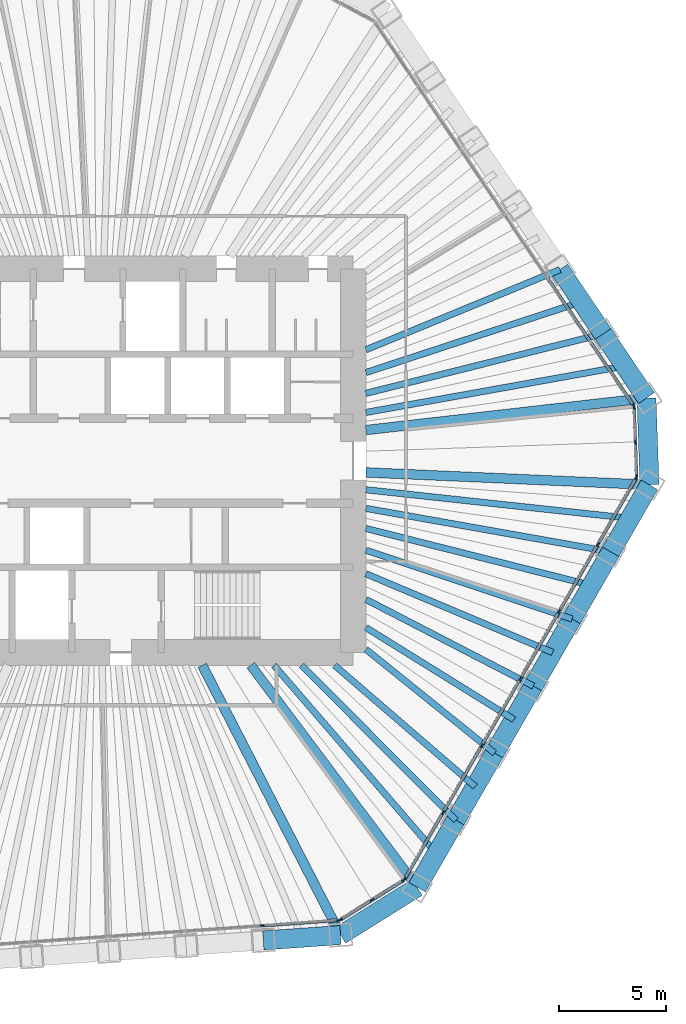
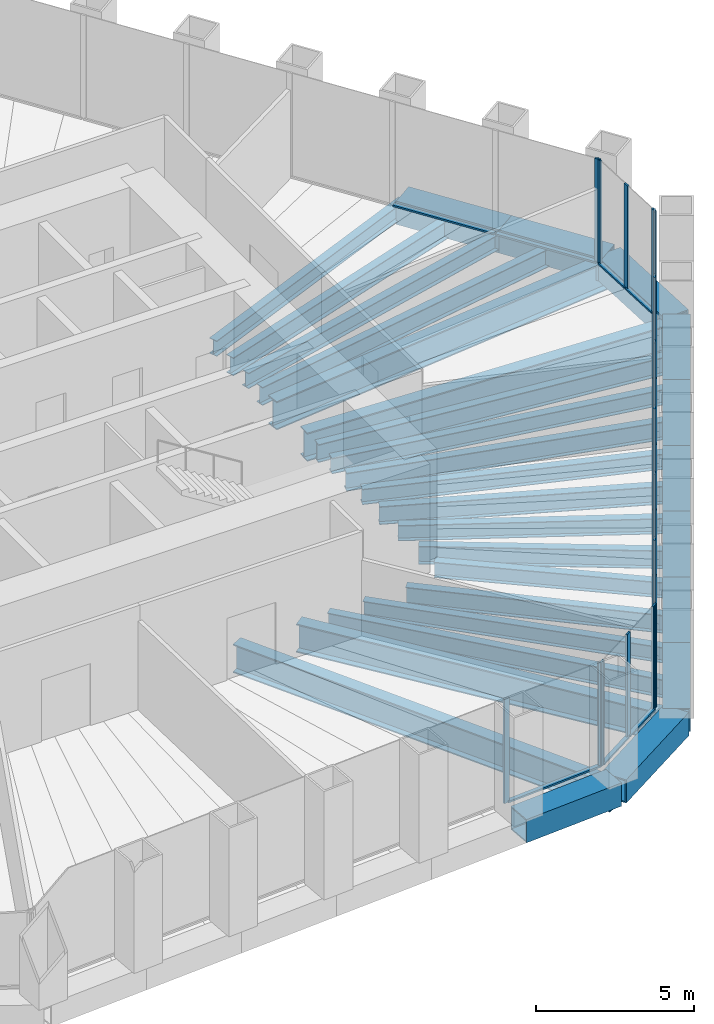
# One storey, part 4 of 14: 30 beams, 29 members, 5 elements without a shape of their own.
"""IFC4 building model written with IfcOpenShell, lengths in metres."""

from ifc_helpers import new_model, si_unit, direction, frame, origin, origin_2d, place, context, subcontext, project, spatial, rectangle, hollow_rectangle, i_section, extrude, material, material_profile, profile_set, type_object, element, aggregate, save


model = new_model("IFC4")

# Units and contexts
model_context = context("Model", 3, precision=1e-05, world=origin(), true_north=direction((0.0, 1.0)))
body_context = subcontext(model_context, "Body", "Model", "MODEL_VIEW")
ifc_project = project(units=[si_unit("LENGTHUNIT", "METRE"), si_unit("AREAUNIT", "SQUARE_METRE"), si_unit("VOLUMEUNIT", "CUBIC_METRE"), si_unit("PLANEANGLEUNIT", "RADIAN"), si_unit("MASSUNIT", "GRAM", prefix="KILO")], contexts=[model_context])

# Site, building, storey
site_placement = place(None, origin())
site = spatial("IfcSite", under=ifc_project, at=site_placement, CompositionType="ELEMENT")
building_placement = place(site_placement, origin())
building = spatial("IfcBuilding", under=site, at=building_placement, Name="Qingtian Harvest Tower", CompositionType="ELEMENT")
storey_placement = place(building_placement, frame((0.0, 0.0, 197.199951171875)))
storey = spatial("IfcBuildingStorey", under=building, at=storey_placement, Name="L42", CompositionType="ELEMENT", Elevation=197.199951171875)

# Beams
ifc_material_1 = material(Name="Steel SM570MC", Category="steel")
ifc_material_profile_1 = material_profile(ifc_material_1, i_section(OverallWidth=0.449951171875, OverallDepth=1.10009765625, WebThickness=0.02197265625, FlangeThickness=0.044921875, at=origin_2d()), Name="H1100x450x22x45")
ifc_profile_set_1 = profile_set([ifc_material_profile_1], Name="Steel SM570MC")
beam_type_1 = type_object("IfcBeamType", Name="Corner floor beam FB8 H1100x450x22x45", PredefinedType="BEAM", material=ifc_profile_set_1)
beam_1_placement = place(storey_placement, frame((25.762451171875, 2.936279296875, -0.719970703125), z_axis=(-0.993566901619, -0.113246686522, 0.0), x_axis=(0.113246686522, -0.993566901619, 0.0)))
element("IfcBeam", 1, at=beam_1_placement, inside=storey, type_object=beam_type_1, Name="Floor beam FB8 NE6", PredefinedType="BEAM", context=body_context, shape_type="SweptSolid", body=[
    extrude(i_section(OverallWidth=0.449951171875, OverallDepth=1.10009765625, WebThickness=0.02197265625, FlangeThickness=0.044921875, at=origin_2d()), origin(), (0.0, 0.0, 1.0), 13.24755859375),
])
beam_2_placement = place(storey_placement, frame((25.904541015625, -1.1318359375, -0.719970703125), z_axis=(-0.999046865424, 0.043650437408, 0.0), x_axis=(-0.043650437408, -0.999046865424, 0.0)))
element("IfcBeam", 2, at=beam_2_placement, inside=storey, type_object=beam_type_1, Name="Floor beam FB8 SE0", PredefinedType="BEAM", context=body_context, shape_type="SweptSolid", body=[
    extrude(i_section(OverallWidth=0.449951171875, OverallDepth=1.10009765625, WebThickness=0.02197265625, FlangeThickness=0.044921875, at=origin_2d()), origin(), (0.0, 0.0, 1.0), 13.317138671875),
])
beam_3_placement = place(storey_placement, frame((15.00390625, -20.012451171875, -0.719970703125), z_axis=(-0.599858913609, 0.800105795357, 0.0), x_axis=(-0.800105795357, -0.599858913609, 0.0)))
element("IfcBeam", 3, at=beam_3_placement, inside=storey, type_object=beam_type_1, Name="Floor beam FB8 SE6", PredefinedType="BEAM", context=body_context, shape_type="SweptSolid", body=[
    extrude(i_section(OverallWidth=0.449951171875, OverallDepth=1.10009765625, WebThickness=0.02197265625, FlangeThickness=0.044921875, at=origin_2d()), origin(), (0.0, 0.0, 1.0), 13.013671875),
])
beam_4_placement = place(storey_placement, frame((11.40966796875, -22.25830078125, -0.719970703125), z_axis=(-0.456157396608, 0.889899111989, 0.0), x_axis=(-0.889899111989, -0.456157396608, 0.0)))
element("IfcBeam", 4, at=beam_4_placement, inside=storey, type_object=beam_type_1, Name="Floor beam FB8 S0", PredefinedType="BEAM", context=body_context, shape_type="SweptSolid", body=[
    extrude(i_section(OverallWidth=0.449951171875, OverallDepth=1.10009765625, WebThickness=0.02197265625, FlangeThickness=0.044921875, at=origin_2d()), origin(), (0.0, 0.0, 1.0), 14.224365234375),
])
ifc_material_2 = material(Name="Steel SN490B", Category="steel")
ifc_material_profile_2 = material_profile(ifc_material_2, i_section(OverallWidth=0.300048828125, OverallDepth=0.60009765625, WebThickness=0.011962890625, FlangeThickness=0.02001953125, at=origin_2d()), Name="H600x300x12x20")
ifc_profile_set_2 = profile_set([ifc_material_profile_2], Name="Steel SN490B")
beam_type_2 = type_object("IfcBeamType", Name="Floor beam FB3 H600x300x12x20", PredefinedType="BEAM", material=ifc_profile_set_2)
beam_5_placement = place(storey_placement, frame((21.69873046875, 8.9609375, -0.469970703125), z_axis=(-0.924281590361, -0.381711332973, 0.0), x_axis=(0.381711332973, -0.924281590361, 0.0)))
element("IfcBeam", 5, at=beam_5_placement, inside=storey, type_object=beam_type_2, Name="Floor beam FB3 NE4", PredefinedType="BEAM", context=body_context, shape_type="SweptSolid", body=[
    extrude(i_section(OverallWidth=0.300048828125, OverallDepth=0.60009765625, WebThickness=0.011962890625, FlangeThickness=0.02001953125, at=origin_2d()), origin(), (0.0, 0.0, 1.0), 9.843994140625),
])
beam_6_placement = place(storey_placement, frame((23.730712890625, 5.948486328125, -0.469970703125), z_axis=(-0.969990876487, -0.243141315972, 0.0), x_axis=(0.243141315972, -0.969990876487, 0.0)))
element("IfcBeam", 6, at=beam_6_placement, inside=storey, type_object=beam_type_2, Name="Floor beam FB3 NE5", PredefinedType="BEAM", context=body_context, shape_type="SweptSolid", body=[
    extrude(i_section(OverallWidth=0.300048828125, OverallDepth=0.60009765625, WebThickness=0.011962890625, FlangeThickness=0.02001953125, at=origin_2d()), origin(), (0.0, 0.0, 1.0), 11.474853515625),
])
beam_7_placement = place(storey_placement, frame((24.087890625, -4.27880859375, -0.469970703125), z_axis=(-0.98458469654, 0.174908477034, 0.0), x_axis=(-0.174908477034, -0.98458469654, 0.0)))
element("IfcBeam", 7, at=beam_7_placement, inside=storey, type_object=beam_type_2, Name="Floor beam FB3 SE1", PredefinedType="BEAM", context=body_context, shape_type="SweptSolid", body=[
    extrude(i_section(OverallWidth=0.300048828125, OverallDepth=0.60009765625, WebThickness=0.011962890625, FlangeThickness=0.02001953125, at=origin_2d()), origin(), (0.0, 0.0, 1.0), 11.667724609375),
])
beam_8_placement = place(storey_placement, frame((22.27099609375, -7.425537109375, -0.469970703125), z_axis=(-0.948654555734, 0.316313979908, 0.0), x_axis=(-0.316313979908, -0.948654555734, 0.0)))
element("IfcBeam", 8, at=beam_8_placement, inside=storey, type_object=beam_type_2, Name="Floor beam FB3 SE2", PredefinedType="BEAM", context=body_context, shape_type="SweptSolid", body=[
    extrude(i_section(OverallWidth=0.300048828125, OverallDepth=0.60009765625, WebThickness=0.011962890625, FlangeThickness=0.02001953125, at=origin_2d()), origin(), (0.0, 0.0, 1.0), 10.1943359375),
])
beam_9_placement = place(storey_placement, frame((20.454345703125, -10.572265625, -0.469970703125), z_axis=(-0.888343501027, 0.459179511938, 0.0), x_axis=(-0.459179511938, -0.888343501027, 0.0)))
element("IfcBeam", 9, at=beam_9_placement, inside=storey, type_object=beam_type_2, Name="Floor beam FB3 SE3", PredefinedType="BEAM", context=body_context, shape_type="SweptSolid", body=[
    extrude(i_section(OverallWidth=0.300048828125, OverallDepth=0.60009765625, WebThickness=0.011962890625, FlangeThickness=0.02001953125, at=origin_2d()), origin(), (0.0, 0.0, 1.0), 8.841552734375),
])
beam_10_placement = place(storey_placement, frame((18.637451171875, -13.718994140625, -0.469970703125), z_axis=(-0.77840907003, 0.62775737327, 0.0), x_axis=(-0.62775737327, -0.77840907003, 0.0)))
element("IfcBeam", 10, at=beam_10_placement, inside=storey, type_object=beam_type_2, Name="Floor beam FB3 SE4", PredefinedType="BEAM", context=body_context, shape_type="SweptSolid", body=[
    extrude(i_section(OverallWidth=0.300048828125, OverallDepth=0.60009765625, WebThickness=0.011962890625, FlangeThickness=0.02001953125, at=origin_2d()), origin(), (0.0, 0.0, 1.0), 7.756103515625),
])
beam_11_placement = place(storey_placement, frame((16.82080078125, -16.86572265625, -0.469970703125), z_axis=(-0.70616637797, 0.708045935392, 0.0), x_axis=(-0.708045935392, -0.70616637797, 0.0)))
element("IfcBeam", 11, at=beam_11_placement, inside=storey, type_object=beam_type_2, Name="Floor beam FB3 SE5", PredefinedType="BEAM", context=body_context, shape_type="SweptSolid", body=[
    extrude(i_section(OverallWidth=0.300048828125, OverallDepth=0.60009765625, WebThickness=0.011962890625, FlangeThickness=0.02001953125, at=origin_2d()), origin(), (0.0, 0.0, 1.0), 10.261474609375),
])
ifc_material_3 = material(Name="Steel SN490B", Category="steel")
ifc_material_profile_3 = material_profile(ifc_material_3, i_section(OverallWidth=0.300048828125, OverallDepth=0.699951171875, WebThickness=0.012939453125, FlangeThickness=0.02392578125, at=origin_2d()), Name="H700x300x13x24")
ifc_profile_set_3 = profile_set([ifc_material_profile_3], Name="Steel SN490B")
beam_type_3 = type_object("IfcBeamType", Name="Floor joist J2 H700x300x13x24", PredefinedType="JOIST", material=ifc_profile_set_3)
beam_12_placement = place(storey_placement, frame((22.71484375, 7.454833984375, -0.52001953125), z_axis=(-0.950138567513, -0.311828001508, 0.0), x_axis=(0.311828001508, -0.950138567513, 0.0)))
element("IfcBeam", 12, at=beam_12_placement, inside=storey, type_object=beam_type_3, Name="Floor joist J2 NE4", PredefinedType="JOIST", context=body_context, shape_type="SweptSolid", body=[
    extrude(i_section(OverallWidth=0.300048828125, OverallDepth=0.699951171875, WebThickness=0.012939453125, FlangeThickness=0.02392578125, at=origin_2d()), origin(), (0.0, 0.0, 1.0), 10.6455078125),
])
beam_13_placement = place(storey_placement, frame((24.74658203125, 4.4423828125, -0.52001953125), z_axis=(-0.98426723745, -0.176686177393, 0.0), x_axis=(0.176686177393, -0.98426723745, 0.0)))
element("IfcBeam", 13, at=beam_13_placement, inside=storey, type_object=beam_type_3, Name="Floor joist J2 NE5", PredefinedType="JOIST", context=body_context, shape_type="SweptSolid", body=[
    extrude(i_section(OverallWidth=0.300048828125, OverallDepth=0.699951171875, WebThickness=0.012939453125, FlangeThickness=0.02392578125, at=origin_2d()), origin(), (0.0, 0.0, 1.0), 12.340576171875),
])
beam_14_placement = place(storey_placement, frame((24.99609375, -2.705322265625, -0.52001953125), z_axis=(-0.994194656298, 0.107596400448, 0.0), x_axis=(-0.107596400448, -0.994194656298, 0.0)))
element("IfcBeam", 14, at=beam_14_placement, inside=storey, type_object=beam_type_3, Name="Floor joist J2 SE0", PredefinedType="JOIST", context=body_context, shape_type="SweptSolid", body=[
    extrude(i_section(OverallWidth=0.300048828125, OverallDepth=0.699951171875, WebThickness=0.012939453125, FlangeThickness=0.02392578125, at=origin_2d()), origin(), (0.0, 0.0, 1.0), 12.46826171875),
])
beam_15_placement = place(storey_placement, frame((23.179443359375, -5.85205078125, -0.52001953125), z_axis=(-0.969577887027, 0.244783007963, 0.0), x_axis=(-0.244783007963, -0.969577887027, 0.0)))
element("IfcBeam", 15, at=beam_15_placement, inside=storey, type_object=beam_type_3, Name="Floor joist J2 SE1", PredefinedType="JOIST", context=body_context, shape_type="SweptSolid", body=[
    extrude(i_section(OverallWidth=0.300048828125, OverallDepth=0.699951171875, WebThickness=0.012939453125, FlangeThickness=0.02392578125, at=origin_2d()), origin(), (0.0, 0.0, 1.0), 10.911376953125),
])
beam_16_placement = place(storey_placement, frame((21.362548828125, -8.998779296875, -0.52001953125), z_axis=(-0.921571079516, 0.388209666803, 0.0), x_axis=(-0.388209666803, -0.921571079516, 0.0)))
element("IfcBeam", 16, at=beam_16_placement, inside=storey, type_object=beam_type_3, Name="Floor joist J2 SE2", PredefinedType="JOIST", context=body_context, shape_type="SweptSolid", body=[
    extrude(i_section(OverallWidth=0.300048828125, OverallDepth=0.699951171875, WebThickness=0.012939453125, FlangeThickness=0.02392578125, at=origin_2d()), origin(), (0.0, 0.0, 1.0), 9.508056640625),
])
beam_17_placement = place(storey_placement, frame((19.5458984375, -12.1455078125, -0.52001953125), z_axis=(-0.849380822906, 0.527780463526, 0.0), x_axis=(-0.527780463526, -0.849380822906, 0.0)))
element("IfcBeam", 17, at=beam_17_placement, inside=storey, type_object=beam_type_3, Name="Floor joist J2 SE3", PredefinedType="JOIST", context=body_context, shape_type="SweptSolid", body=[
    extrude(i_section(OverallWidth=0.300048828125, OverallDepth=0.699951171875, WebThickness=0.012939453125, FlangeThickness=0.02392578125, at=origin_2d()), origin(), (0.0, 0.0, 1.0), 8.177490234375),
])
beam_18_placement = place(storey_placement, frame((17.72900390625, -15.292236328125, -0.52001953125), z_axis=(-0.757237954988, 0.653139096613, 0.0), x_axis=(-0.653139096613, -0.757237954988, 0.0)))
element("IfcBeam", 18, at=beam_18_placement, inside=storey, type_object=beam_type_3, Name="Floor joist J2 SE4", PredefinedType="JOIST", context=body_context, shape_type="SweptSolid", body=[
    extrude(i_section(OverallWidth=0.300048828125, OverallDepth=0.699951171875, WebThickness=0.012939453125, FlangeThickness=0.02392578125, at=origin_2d()), origin(), (0.0, 0.0, 1.0), 8.715087890625),
])
beam_19_placement = place(storey_placement, frame((15.912353515625, -18.43896484375, -0.52001953125), z_axis=(-0.653343257086, 0.757061812813, 0.0), x_axis=(-0.757061812813, -0.653343257086, 0.0)))
element("IfcBeam", 19, at=beam_19_placement, inside=storey, type_object=beam_type_3, Name="Floor joist J2 SE5", PredefinedType="JOIST", context=body_context, shape_type="SweptSolid", body=[
    extrude(i_section(OverallWidth=0.300048828125, OverallDepth=0.699951171875, WebThickness=0.012939453125, FlangeThickness=0.02392578125, at=origin_2d()), origin(), (0.0, 0.0, 1.0), 11.67529296875),
])

# Curtain wall, member
ifc_material_4 = material(Name="Bronze-anodised aluminium curtain wall", Category="aluminium")
curtain_wall_type = type_object("IfcCurtainWallType", Name="Curtain wall CW4 office", PredefinedType="USERDEFINED", material=ifc_material_4)
curtain_wall_1_placement = place(storey_placement, origin())
curtain_wall_1 = element("IfcCurtainWall", 20, at=curtain_wall_1_placement, inside=storey, type_object=curtain_wall_type, Name="Curtain wall CW4 L42 NE0-5", ObjectType="RECESSED CURTAIN WALL", PredefinedType="USERDEFINED")
ifc_material_5 = material(Name="Bronze-anodised aluminium mullion", Category="aluminium")
ifc_material_profile_4 = material_profile(ifc_material_5, rectangle(XDim=0.06494140625, YDim=0.199951171875, at=origin_2d()), Name="AL 65x200")
ifc_profile_set_4 = profile_set([ifc_material_profile_4], Name="Bronze-anodised aluminium mullion")
member_type_1 = type_object("IfcMemberType", Name="Mullion CWM 65x200", PredefinedType="MULLION", material=ifc_profile_set_4)
member_1_placement = place(storey_placement, frame((25.1640625, 2.57177734375, 0.0), z_axis=(0.0, 0.0, 1.0), x_axis=(0.829037572555, 0.559192903471, 0.0)))
member_1 = element("IfcMember", 21, at=member_1_placement, type_object=member_type_1, Name="CW4 mullion 7", PredefinedType="MULLION", context=body_context, shape_type="SweptSolid", body=[
    extrude(rectangle(XDim=0.06494140625, YDim=0.199951171875, at=origin_2d()), origin(), (0.0, 0.0, 1.0), 4.030029296875),
])

# Curtain wall, members
curtain_wall_2_placement = place(storey_placement, origin())
curtain_wall_2 = element("IfcCurtainWall", 22, at=curtain_wall_2_placement, inside=storey, type_object=curtain_wall_type, Name="Curtain wall CW4 L42 NEC", ObjectType="RECESSED CURTAIN WALL", PredefinedType="USERDEFINED")
member_2_placement = place(storey_placement, frame((25.183349609375, 2.51220703125, 0.0), z_axis=(0.0, 0.0, 1.0), x_axis=(0.999390827019, 0.034899496703, 0.0)))
member_2 = element("IfcMember", 23, at=member_2_placement, type_object=member_type_1, Name="CW4 mullion 1", PredefinedType="MULLION", context=body_context, shape_type="SweptSolid", body=[
    extrude(rectangle(XDim=0.06494140625, YDim=0.199951171875, at=origin_2d()), origin(), (0.0, 0.0, 1.0), 4.030029296875),
])
member_3_placement = place(storey_placement, frame((25.240234375, 0.88134765625, 0.0), z_axis=(0.0, 0.0, 1.0), x_axis=(0.999390827019, 0.034899496703, 0.0)))
member_3 = element("IfcMember", 24, at=member_3_placement, type_object=member_type_1, Name="CW4 mullion 2", PredefinedType="MULLION", context=body_context, shape_type="SweptSolid", body=[
    extrude(rectangle(XDim=0.06494140625, YDim=0.199951171875, at=origin_2d()), origin(), (0.0, 0.0, 1.0), 4.030029296875),
])
member_4_placement = place(storey_placement, frame((25.297119140625, -0.74951171875, 0.0), z_axis=(0.0, 0.0, 1.0), x_axis=(0.999390827019, 0.034899496703, 0.0)))
member_4 = element("IfcMember", 25, at=member_4_placement, type_object=member_type_1, Name="CW4 mullion 3", PredefinedType="MULLION", context=body_context, shape_type="SweptSolid", body=[
    extrude(rectangle(XDim=0.06494140625, YDim=0.199951171875, at=origin_2d()), origin(), (0.0, 0.0, 1.0), 4.030029296875),
])

curtain_wall_3_placement = place(storey_placement, origin())
curtain_wall_3 = element("IfcCurtainWall", 26, at=curtain_wall_3_placement, inside=storey, type_object=curtain_wall_type, Name="Curtain wall CW4 L42 SE0-5", ObjectType="RECESSED CURTAIN WALL", PredefinedType="USERDEFINED")
member_5_placement = place(storey_placement, frame((25.2822265625, -0.81005859375, 0.0), z_axis=(0.0, 0.0, 1.0), x_axis=(0.866025403784, -0.5, 0.0)))
member_5 = element("IfcMember", 27, at=member_5_placement, type_object=member_type_1, Name="CW4 mullion 1", PredefinedType="MULLION", context=body_context, shape_type="SweptSolid", body=[
    extrude(rectangle(XDim=0.06494140625, YDim=0.199951171875, at=origin_2d()), origin(), (0.0, 0.0, 1.0), 4.030029296875),
])
member_6_placement = place(storey_placement, frame((23.481689453125, -3.9287109375, 0.0), z_axis=(0.0, 0.0, 1.0), x_axis=(0.866025403784, -0.5, 0.0)))
member_6 = element("IfcMember", 28, at=member_6_placement, type_object=member_type_1, Name="CW4 mullion 2", PredefinedType="MULLION", context=body_context, shape_type="SweptSolid", body=[
    extrude(rectangle(XDim=0.06494140625, YDim=0.199951171875, at=origin_2d()), origin(), (0.0, 0.0, 1.0), 4.030029296875),
])
member_7_placement = place(storey_placement, frame((21.664794921875, -7.075439453125, 0.0), z_axis=(0.0, 0.0, 1.0), x_axis=(0.866025403784, -0.5, 0.0)))
member_7 = element("IfcMember", 29, at=member_7_placement, type_object=member_type_1, Name="CW4 mullion 3", PredefinedType="MULLION", context=body_context, shape_type="SweptSolid", body=[
    extrude(rectangle(XDim=0.06494140625, YDim=0.199951171875, at=origin_2d()), origin(), (0.0, 0.0, 1.0), 4.030029296875),
])
member_8_placement = place(storey_placement, frame((19.84814453125, -10.22216796875, 0.0), z_axis=(0.0, 0.0, 1.0), x_axis=(0.866025403784, -0.5, 0.0)))
member_8 = element("IfcMember", 30, at=member_8_placement, type_object=member_type_1, Name="CW4 mullion 4", PredefinedType="MULLION", context=body_context, shape_type="SweptSolid", body=[
    extrude(rectangle(XDim=0.06494140625, YDim=0.199951171875, at=origin_2d()), origin(), (0.0, 0.0, 1.0), 4.030029296875),
])
member_9_placement = place(storey_placement, frame((18.03125, -13.368896484375, 0.0), z_axis=(0.0, 0.0, 1.0), x_axis=(0.866025403784, -0.5, 0.0)))
member_9 = element("IfcMember", 31, at=member_9_placement, type_object=member_type_1, Name="CW4 mullion 5", PredefinedType="MULLION", context=body_context, shape_type="SweptSolid", body=[
    extrude(rectangle(XDim=0.06494140625, YDim=0.199951171875, at=origin_2d()), origin(), (0.0, 0.0, 1.0), 4.030029296875),
])
member_10_placement = place(storey_placement, frame((16.214599609375, -16.515625, 0.0), z_axis=(0.0, 0.0, 1.0), x_axis=(0.866025403784, -0.5, 0.0)))
member_10 = element("IfcMember", 32, at=member_10_placement, type_object=member_type_1, Name="CW4 mullion 6", PredefinedType="MULLION", context=body_context, shape_type="SweptSolid", body=[
    extrude(rectangle(XDim=0.06494140625, YDim=0.199951171875, at=origin_2d()), origin(), (0.0, 0.0, 1.0), 4.030029296875),
])
member_11_placement = place(storey_placement, frame((14.4140625, -19.63427734375, 0.0), z_axis=(0.0, 0.0, 1.0), x_axis=(0.866025403784, -0.5, 0.0)))
member_11 = element("IfcMember", 33, at=member_11_placement, type_object=member_type_1, Name="CW4 mullion 7", PredefinedType="MULLION", context=body_context, shape_type="SweptSolid", body=[
    extrude(rectangle(XDim=0.06494140625, YDim=0.199951171875, at=origin_2d()), origin(), (0.0, 0.0, 1.0), 4.030029296875),
])

curtain_wall_4_placement = place(storey_placement, origin())
curtain_wall_4 = element("IfcCurtainWall", 34, at=curtain_wall_4_placement, inside=storey, type_object=curtain_wall_type, Name="Curtain wall CW4 L42 SEC", ObjectType="RECESSED CURTAIN WALL", PredefinedType="USERDEFINED")
member_12_placement = place(storey_placement, frame((14.3701171875, -19.6796875, 0.0), z_axis=(0.0, 0.0, 1.0), x_axis=(0.529919264233, -0.848048096156, 0.0)))
member_12 = element("IfcMember", 35, at=member_12_placement, type_object=member_type_1, Name="CW4 mullion 1", PredefinedType="MULLION", context=body_context, shape_type="SweptSolid", body=[
    extrude(rectangle(XDim=0.06494140625, YDim=0.199951171875, at=origin_2d()), origin(), (0.0, 0.0, 1.0), 4.030029296875),
])
member_13_placement = place(storey_placement, frame((12.87939453125, -20.611328125, 0.0), z_axis=(0.0, 0.0, 1.0), x_axis=(0.529919264233, -0.848048096156, 0.0)))
member_13 = element("IfcMember", 36, at=member_13_placement, type_object=member_type_1, Name="CW4 mullion 2", PredefinedType="MULLION", context=body_context, shape_type="SweptSolid", body=[
    extrude(rectangle(XDim=0.06494140625, YDim=0.199951171875, at=origin_2d()), origin(), (0.0, 0.0, 1.0), 4.030029296875),
])
member_14_placement = place(storey_placement, frame((11.388427734375, -21.542724609375, 0.0), z_axis=(0.0, 0.0, 1.0), x_axis=(0.529919264233, -0.848048096156, 0.0)))
member_14 = element("IfcMember", 37, at=member_14_placement, type_object=member_type_1, Name="CW4 mullion 3", PredefinedType="MULLION", context=body_context, shape_type="SweptSolid", body=[
    extrude(rectangle(XDim=0.06494140625, YDim=0.199951171875, at=origin_2d()), origin(), (0.0, 0.0, 1.0), 4.030029296875),
])

curtain_wall_5_placement = place(storey_placement, origin())
curtain_wall_5 = element("IfcCurtainWall", 38, at=curtain_wall_5_placement, inside=storey, type_object=curtain_wall_type, Name="Curtain wall CW4 L42 S0-5", ObjectType="RECESSED CURTAIN WALL", PredefinedType="USERDEFINED")
member_15_placement = place(storey_placement, frame((11.32861328125, -21.562255859375, 0.0), z_axis=(0.0, 0.0, 1.0), x_axis=(0.069756473744, -0.99756405026, 0.0)))
member_15 = element("IfcMember", 39, at=member_15_placement, type_object=member_type_1, Name="CW4 mullion 1", PredefinedType="MULLION", context=body_context, shape_type="SweptSolid", body=[
    extrude(rectangle(XDim=0.06494140625, YDim=0.199951171875, at=origin_2d()), origin(), (0.0, 0.0, 1.0), 4.030029296875),
])
member_16_placement = place(storey_placement, frame((7.736328125, -21.8134765625, 0.0), z_axis=(0.0, 0.0, 1.0), x_axis=(0.069756473744, -0.99756405026, 0.0)))
member_16 = element("IfcMember", 40, at=member_16_placement, type_object=member_type_1, Name="CW4 mullion 2", PredefinedType="MULLION", context=body_context, shape_type="SweptSolid", body=[
    extrude(rectangle(XDim=0.06494140625, YDim=0.199951171875, at=origin_2d()), origin(), (0.0, 0.0, 1.0), 4.030029296875),
])

# Beams
ifc_material_6 = material(Name="Steel SM570MC", Category="steel")
ifc_material_profile_5 = material_profile(ifc_material_6, hollow_rectangle(XDim=0.89990234375, YDim=0.89990234375, WallThickness=0.050048828125, at=origin_2d()), Name="BOX900x900x50")
ifc_profile_set_5 = profile_set([ifc_material_profile_5], Name="Steel SM570MC")
beam_type_4 = type_object("IfcBeamType", Name="Transition spandrel SB6 BOX900x900x50", PredefinedType="SPANDREL", material=ifc_profile_set_5)
beam_20_placement = place(storey_placement, frame((21.69873046875, 8.9609375, -0.449951171875), z_axis=(0.55920395902, -0.829030115385, 0.0), x_axis=(0.829030115385, 0.55920395902, 0.0)))
element("IfcBeam", 41, at=beam_20_placement, inside=storey, type_object=beam_type_4, Name="Spandrel SB6 NE4", PredefinedType="SPANDREL", context=body_context, shape_type="SweptSolid", body=[
    extrude(hollow_rectangle(XDim=0.89990234375, YDim=0.89990234375, WallThickness=0.050048828125, at=origin_2d()), origin(), (0.0, 0.0, 1.0), 3.6337890625),
])
beam_21_placement = place(storey_placement, frame((23.730712890625, 5.948486328125, -0.449951171875), z_axis=(0.559188928021, -0.829040254016, 0.0), x_axis=(0.829040254016, 0.559188928021, 0.0)))
element("IfcBeam", 42, at=beam_21_placement, inside=storey, type_object=beam_type_4, Name="Spandrel SB6 NE5", PredefinedType="SPANDREL", context=body_context, shape_type="SweptSolid", body=[
    extrude(hollow_rectangle(XDim=0.89990234375, YDim=0.89990234375, WallThickness=0.050048828125, at=origin_2d()), origin(), (0.0, 0.0, 1.0), 3.63330078125),
])
beam_22_placement = place(storey_placement, frame((25.762451171875, 2.936279296875, -0.449951171875), z_axis=(0.03490639867, -0.999390585973, 0.0), x_axis=(0.999390585973, 0.03490639867, 0.0)))
element("IfcBeam", 43, at=beam_22_placement, inside=storey, type_object=beam_type_4, Name="Spandrel SB6 NEC", PredefinedType="SPANDREL", context=body_context, shape_type="SweptSolid", body=[
    extrude(hollow_rectangle(XDim=0.89990234375, YDim=0.89990234375, WallThickness=0.050048828125, at=origin_2d()), origin(), (0.0, 0.0, 1.0), 4.070556640625),
])
beam_23_placement = place(storey_placement, frame((25.904541015625, -1.1318359375, -0.449951171875), z_axis=(-0.499947341849, -0.866055803848, 0.0), x_axis=(0.866055803848, -0.499947341849, 0.0)))
element("IfcBeam", 44, at=beam_23_placement, inside=storey, type_object=beam_type_4, Name="Spandrel SB6 SE0", PredefinedType="SPANDREL", context=body_context, shape_type="SweptSolid", body=[
    extrude(hollow_rectangle(XDim=0.89990234375, YDim=0.89990234375, WallThickness=0.050048828125, at=origin_2d()), origin(), (0.0, 0.0, 1.0), 3.6337890625),
])
for number, where, z_axis, x_axis, name in (
    (45, (24.087890625, -4.27880859375, -0.449951171875), (-0.500026827678, -0.866009914263, 0.0), (0.866009914263, -0.500026827678, 0.0), "Spandrel SB6 SE1"),
    (46, (22.27099609375, -7.425537109375, -0.449951171875), (-0.499976434558, -0.866039008871, 0.0), (0.866039008871, -0.499976434558, 0.0), "Spandrel SB6 SE2"),
    (47, (20.454345703125, -10.572265625, -0.449951171875), (-0.500026827678, -0.866009914263, 0.0), (0.866009914263, -0.500026827678, 0.0), "Spandrel SB6 SE3"),
    (48, (18.637451171875, -13.718994140625, -0.449951171875), (-0.499976434558, -0.866039008871, 0.0), (0.866039008871, -0.499976434558, 0.0), "Spandrel SB6 SE4"),
    (49, (16.82080078125, -16.86572265625, -0.449951171875), (-0.500026827678, -0.866009914263, 0.0), (0.866009914263, -0.500026827678, 0.0), "Spandrel SB6 SE5"),
):
    element("IfcBeam", number, at=place(storey_placement, frame(where, z_axis=z_axis, x_axis=x_axis)), inside=storey, type_object=beam_type_4, Name=name, PredefinedType="SPANDREL", context=body_context, shape_type="SweptSolid", body=[
        extrude(hollow_rectangle(XDim=0.89990234375, YDim=0.89990234375, WallThickness=0.050048828125, at=origin_2d()), origin(), (0.0, 0.0, 1.0), 3.633544921875),
    ])
beam_24_placement = place(storey_placement, frame((15.00390625, -20.012451171875, -0.449951171875), z_axis=(-0.848056550838, -0.529905733675, 0.0), x_axis=(0.529905733675, -0.848056550838, 0.0)))
element("IfcBeam", 50, at=beam_24_placement, inside=storey, type_object=beam_type_4, Name="Spandrel SB6 SEC", PredefinedType="SPANDREL", context=body_context, shape_type="SweptSolid", body=[
    extrude(hollow_rectangle(XDim=0.89990234375, YDim=0.89990234375, WallThickness=0.050048828125, at=origin_2d()), origin(), (0.0, 0.0, 1.0), 4.23828125),
])
beam_25_placement = place(storey_placement, frame((11.40966796875, -22.25830078125, -0.449951171875), z_axis=(-0.997564674207, -0.069747550305, 0.0), x_axis=(0.069747550305, -0.997564674207, 0.0)))
element("IfcBeam", 51, at=beam_25_placement, inside=storey, type_object=beam_type_4, Name="Spandrel SB6 S0", PredefinedType="SPANDREL", context=body_context, shape_type="SweptSolid", body=[
    extrude(hollow_rectangle(XDim=0.89990234375, YDim=0.89990234375, WallThickness=0.050048828125, at=origin_2d()), origin(), (0.0, 0.0, 1.0), 3.63330078125),
])

# Member
ifc_material_7 = material(Name="Bronze-anodised aluminium transom", Category="aluminium")
ifc_material_profile_6 = material_profile(ifc_material_7, rectangle(XDim=0.14990234375, YDim=0.06494140625, at=origin_2d()), Name="AL 65x150")
ifc_profile_set_6 = profile_set([ifc_material_profile_6], Name="Bronze-anodised aluminium transom")
member_type_2 = type_object("IfcMemberType", Name="Transom CWT 65x150", PredefinedType="USERDEFINED", material=ifc_profile_set_6)
member_17_placement = place(storey_placement, frame((21.13671875, 8.54248046875, 0.032470703125), z_axis=(0.559160259871, -0.829059590006, 0.0), x_axis=(0.829059590006, 0.559160259871, 0.0)))
member_17 = element("IfcMember", 52, at=member_17_placement, type_object=member_type_2, Name="CW4 transom 5.1", ObjectType="TRANSOM", PredefinedType="USERDEFINED", context=body_context, shape_type="SweptSolid", body=[
    extrude(rectangle(XDim=0.14990234375, YDim=0.06494140625, at=origin_2d()), origin(), (0.0, 0.0, 1.0), 3.568603515625),
])

member_18_placement = place(storey_placement, frame((23.16845703125, 5.5302734375, 0.032470703125), z_axis=(0.559169259008, -0.829053520456, 0.0), x_axis=(0.829053520456, 0.559169259008, 0.0)))
member_18 = element("IfcMember", 53, at=member_18_placement, type_object=member_type_2, Name="CW4 transom 6.1", ObjectType="TRANSOM", PredefinedType="USERDEFINED", context=body_context, shape_type="SweptSolid", body=[
    extrude(rectangle(XDim=0.14990234375, YDim=0.06494140625, at=origin_2d()), origin(), (0.0, 0.0, 1.0), 3.5361328125),
])

aggregate(curtain_wall_1, [member_1, member_17, member_18])

member_19_placement = place(storey_placement, frame((25.1845703125, 2.479736328125, 0.032470703125), z_axis=(0.034902326647, -0.999390728191, 0.0), x_axis=(0.999390728191, 0.034902326647, 0.0)))
member_19 = element("IfcMember", 54, at=member_19_placement, type_object=member_type_2, Name="CW4 transom 1.1", ObjectType="TRANSOM", PredefinedType="USERDEFINED", context=body_context, shape_type="SweptSolid", body=[
    extrude(rectangle(XDim=0.14990234375, YDim=0.06494140625, at=origin_2d()), origin(), (0.0, 0.0, 1.0), 1.56689453125),
])

member_20_placement = place(storey_placement, frame((25.241455078125, 0.848876953125, 0.032470703125), z_axis=(0.034902326647, -0.999390728191, 0.0), x_axis=(0.999390728191, 0.034902326647, 0.0)))
member_20 = element("IfcMember", 55, at=member_20_placement, type_object=member_type_2, Name="CW4 transom 2.1", ObjectType="TRANSOM", PredefinedType="USERDEFINED", context=body_context, shape_type="SweptSolid", body=[
    extrude(rectangle(XDim=0.14990234375, YDim=0.06494140625, at=origin_2d()), origin(), (0.0, 0.0, 1.0), 1.56689453125),
])

aggregate(curtain_wall_2, [member_2, member_3, member_4, member_19, member_20])

member_21_placement = place(storey_placement, frame((25.265869140625, -0.838134765625, 0.032470703125), z_axis=(-0.499985409597, -0.866033827394, 0.0), x_axis=(0.866033827394, -0.499985409597, 0.0)))
member_21 = element("IfcMember", 56, at=member_21_placement, type_object=member_type_2, Name="CW4 transom 1.1", ObjectType="TRANSOM", PredefinedType="USERDEFINED", context=body_context, shape_type="SweptSolid", body=[
    extrude(rectangle(XDim=0.14990234375, YDim=0.06494140625, at=origin_2d()), origin(), (0.0, 0.0, 1.0), 3.5361328125),
])

member_22_placement = place(storey_placement, frame((23.46533203125, -3.956787109375, 0.032470703125), z_axis=(-0.499965259726, -0.866045460162, 0.0), x_axis=(0.866045460162, -0.499965259726, 0.0)))
member_22 = element("IfcMember", 57, at=member_22_placement, type_object=member_type_2, Name="CW4 transom 2.1", ObjectType="TRANSOM", PredefinedType="USERDEFINED", context=body_context, shape_type="SweptSolid", body=[
    extrude(rectangle(XDim=0.14990234375, YDim=0.06494140625, at=origin_2d()), origin(), (0.0, 0.0, 1.0), 3.568603515625),
])

member_23_placement = place(storey_placement, frame((21.648681640625, -7.103515625, 0.032470703125), z_axis=(-0.500016569533, -0.866015837149, 0.0), x_axis=(0.866015837149, -0.500016569533, 0.0)))
member_23 = element("IfcMember", 58, at=member_23_placement, type_object=member_type_2, Name="CW4 transom 3.1", ObjectType="TRANSOM", PredefinedType="USERDEFINED", context=body_context, shape_type="SweptSolid", body=[
    extrude(rectangle(XDim=0.14990234375, YDim=0.06494140625, at=origin_2d()), origin(), (0.0, 0.0, 1.0), 3.56884765625),
])

member_24_placement = place(storey_placement, frame((19.831787109375, -10.250244140625, 0.032470703125), z_axis=(-0.499965259726, -0.866045460162, 0.0), x_axis=(0.866045460162, -0.499965259726, 0.0)))
member_24 = element("IfcMember", 59, at=member_24_placement, type_object=member_type_2, Name="CW4 transom 4.1", ObjectType="TRANSOM", PredefinedType="USERDEFINED", context=body_context, shape_type="SweptSolid", body=[
    extrude(rectangle(XDim=0.14990234375, YDim=0.06494140625, at=origin_2d()), origin(), (0.0, 0.0, 1.0), 3.568603515625),
])

member_25_placement = place(storey_placement, frame((18.014892578125, -13.39697265625, 0.032470703125), z_axis=(-0.499965259726, -0.866045460162, 0.0), x_axis=(0.866045460162, -0.499965259726, 0.0)))
member_25 = element("IfcMember", 60, at=member_25_placement, type_object=member_type_2, Name="CW4 transom 5.1", ObjectType="TRANSOM", PredefinedType="USERDEFINED", context=body_context, shape_type="SweptSolid", body=[
    extrude(rectangle(XDim=0.14990234375, YDim=0.06494140625, at=origin_2d()), origin(), (0.0, 0.0, 1.0), 3.568603515625),
])

member_26_placement = place(storey_placement, frame((16.1982421875, -16.5439453125, 0.032470703125), z_axis=(-0.500015305566, -0.866016566931, 0.0), x_axis=(0.866016566931, -0.500015305566, 0.0)))
member_26 = element("IfcMember", 61, at=member_26_placement, type_object=member_type_2, Name="CW4 transom 6.1", ObjectType="TRANSOM", PredefinedType="USERDEFINED", context=body_context, shape_type="SweptSolid", body=[
    extrude(rectangle(XDim=0.14990234375, YDim=0.06494140625, at=origin_2d()), origin(), (0.0, 0.0, 1.0), 3.5361328125),
])

aggregate(curtain_wall_3, [member_5, member_6, member_7, member_8, member_9, member_10, member_11, member_21, member_22, member_23, member_24, member_25, member_26])

member_27_placement = place(storey_placement, frame((14.342529296875, -19.69677734375, 0.032470703125), z_axis=(-0.847998304005, -0.529998940003, 0.0), x_axis=(0.529998940003, -0.847998304005, 0.0)))
member_27 = element("IfcMember", 62, at=member_27_placement, type_object=member_type_2, Name="CW4 transom 1.1", ObjectType="TRANSOM", PredefinedType="USERDEFINED", context=body_context, shape_type="SweptSolid", body=[
    extrude(rectangle(XDim=0.14990234375, YDim=0.06494140625, at=origin_2d()), origin(), (0.0, 0.0, 1.0), 1.69287109375),
])

member_28_placement = place(storey_placement, frame((12.851806640625, -20.62841796875, 0.032470703125), z_axis=(-0.84803880708, -0.529934129573, 0.0), x_axis=(0.529934129573, -0.84803880708, 0.0)))
member_28 = element("IfcMember", 63, at=member_28_placement, type_object=member_type_2, Name="CW4 transom 2.1", ObjectType="TRANSOM", PredefinedType="USERDEFINED", context=body_context, shape_type="SweptSolid", body=[
    extrude(rectangle(XDim=0.14990234375, YDim=0.06494140625, at=origin_2d()), origin(), (0.0, 0.0, 1.0), 1.693115234375),
])

aggregate(curtain_wall_4, [member_12, member_13, member_14, member_27, member_28])

member_29_placement = place(storey_placement, frame((11.296142578125, -21.564453125, 0.032470703125), z_axis=(-0.997561034679, -0.069799585166, 0.0), x_axis=(0.069799585166, -0.997561034679, 0.0)))
member_29 = element("IfcMember", 64, at=member_29_placement, type_object=member_type_2, Name="CW4 transom 1.1", ObjectType="TRANSOM", PredefinedType="USERDEFINED", context=body_context, shape_type="SweptSolid", body=[
    extrude(rectangle(XDim=0.14990234375, YDim=0.06494140625, at=origin_2d()), origin(), (0.0, 0.0, 1.0), 3.5361328125),
])

aggregate(curtain_wall_5, [member_15, member_16, member_29])

save(model, "model.ifc")
